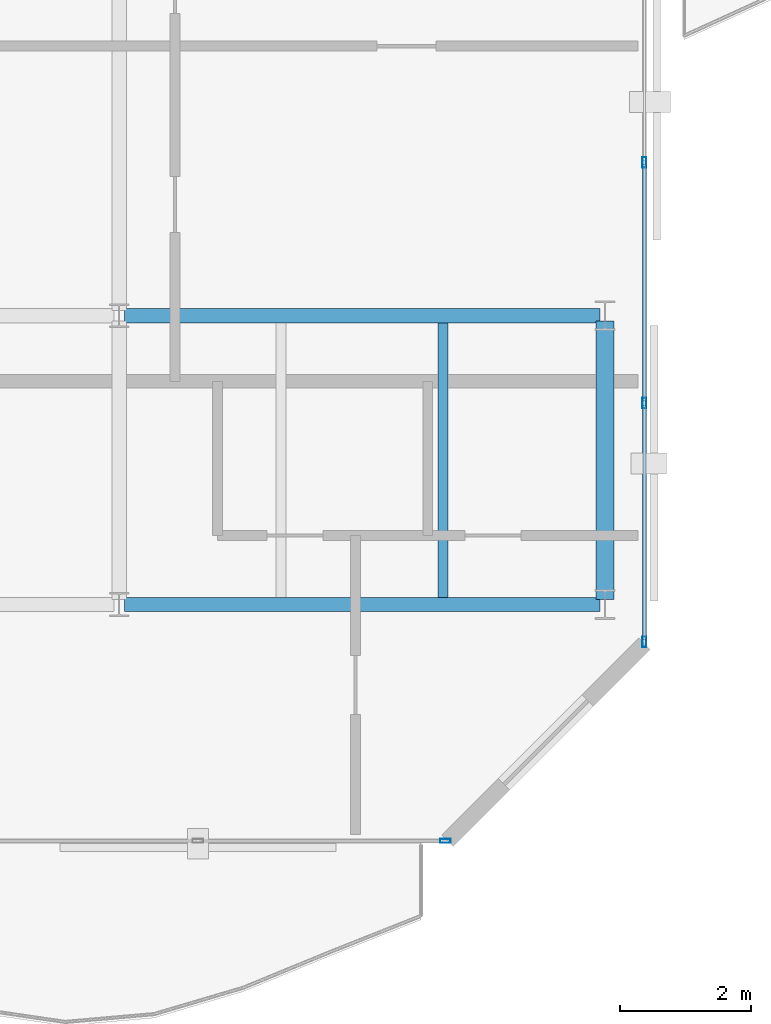
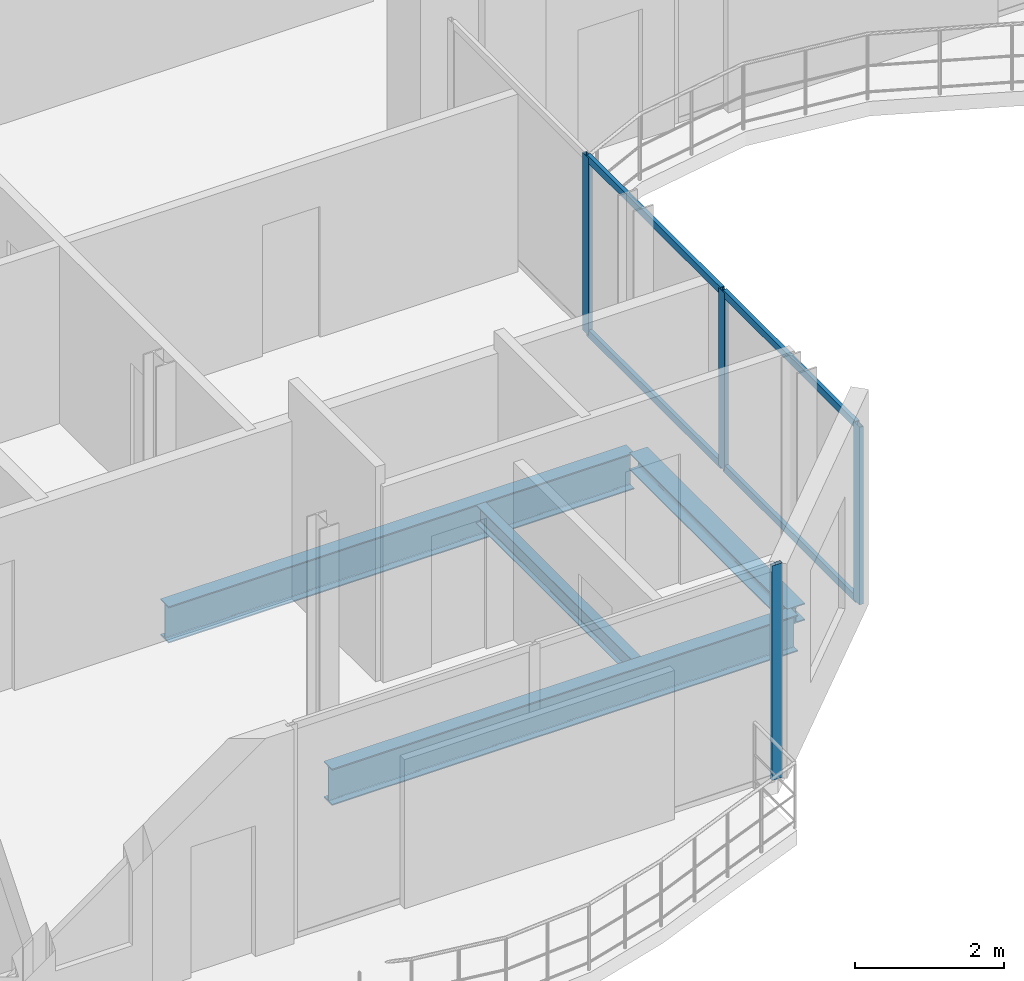
# One storey, part 7 of 22: 8 members, 4 beams, 2 elements without a shape of their own.
"""IFC4 building model written with IfcOpenShell, lengths in metres."""

from ifc_helpers import new_model, si_unit, direction, frame, origin, origin_2d, place, context, subcontext, project, spatial, hollow_rectangle, i_section, extrude, material, layer, layer_set, material_profile, profile_set, type_object, element, aggregate, save


model = new_model("IFC4")

# Units and contexts
model_context = context("Model", 3, precision=1e-05, world=origin(), true_north=direction((0.0, 1.0)))
body_context = subcontext(model_context, "Body", "Model", "MODEL_VIEW")
ifc_project = project(units=[si_unit("LENGTHUNIT", "METRE"), si_unit("AREAUNIT", "SQUARE_METRE"), si_unit("VOLUMEUNIT", "CUBIC_METRE"), si_unit("PLANEANGLEUNIT", "RADIAN"), si_unit("MASSUNIT", "GRAM", prefix="KILO")], contexts=[model_context])

# Site, building, storey
site_placement = place(None, origin())
site = spatial("IfcSite", under=ifc_project, at=site_placement, CompositionType="ELEMENT")
building_placement = place(site_placement, origin())
building = spatial("IfcBuilding", under=site, at=building_placement, Name="Catumbela Crestline Tower", CompositionType="ELEMENT")
storey_placement = place(building_placement, frame((0.0, 0.0, 218.4)))
storey = spatial("IfcBuildingStorey", under=building, at=storey_placement, Name="L56", CompositionType="ELEMENT", Elevation=218.4)

# Beams
ifc_material_1 = material(Name="Structural steel S355J2", Category="steel")
ifc_material_profile_1 = material_profile(ifc_material_1, i_section(OverallWidth=0.22, OverallDepth=0.6, WebThickness=0.012, FlangeThickness=0.019, FilletRadius=0.024, at=origin_2d()), Name="IPE 600")
ifc_profile_set_1 = profile_set([ifc_material_profile_1], Name="Structural steel S355J2")
beam_type_1 = type_object("IfcBeamType", Name="BG-IPE600", PredefinedType="BEAM", material=ifc_profile_set_1)
for number, where, z_axis, x_axis, name in (
    (1, (16.08, 13.6, -0.56), (1.0, 0.0, 0.0), (0.0, 1.0, 0.0), "L56 Beam BM-L56-WEW28"),
    (2, (16.08, 18.0, -0.56), (1.0, 0.0, 0.0), (0.0, 1.0, 0.0), "L56 Beam BM-L56-WEW30"),
):
    element("IfcBeam", number, at=place(storey_placement, frame(where, z_axis=z_axis, x_axis=x_axis)), inside=storey, type_object=beam_type_1, Name=name, PredefinedType="BEAM", context=body_context, shape_type="SweptSolid", body=[
        extrude(i_section(OverallWidth=0.22, OverallDepth=0.6, WebThickness=0.012, FlangeThickness=0.019, FilletRadius=0.024, at=origin_2d()), origin(), (0.0, 0.0, 1.0), 7.24),
    ])
ifc_material_profile_2 = material_profile(ifc_material_1, i_section(OverallWidth=0.15, OverallDepth=0.3, WebThickness=0.0071, FlangeThickness=0.0107, FilletRadius=0.015, at=origin_2d()), Name="IPE 300")
ifc_profile_set_2 = profile_set([ifc_material_profile_2], Name="Structural steel S355J2")
beam_type_2 = type_object("IfcBeamType", Name="BJ-IPE300", PredefinedType="JOIST", material=ifc_profile_set_2)
beam_1_placement = place(storey_placement, frame((20.933, 13.71, -0.41), z_axis=(0.0, 1.0, 0.0), x_axis=(-1.0, 0.0, 0.0)))
element("IfcBeam", 3, at=beam_1_placement, inside=storey, type_object=beam_type_2, Name="L56 Joist JS-L56-WG39", PredefinedType="JOIST", context=body_context, shape_type="SweptSolid", body=[
    extrude(i_section(OverallWidth=0.15, OverallDepth=0.3, WebThickness=0.0071, FlangeThickness=0.0107, FilletRadius=0.015, at=origin_2d()), origin(), (0.0, 0.0, 1.0), 4.18),
])

# Curtain wall, member
ifc_material_2 = material(Name="Aluminium alloy AW-6060-T66", Category="aluminium")
ifc_layer = layer(ifc_material_2, 0.18, Name="Aluminium alloy AW-6060-T66")
ifc_layer_set = layer_set([ifc_layer], Name="Aluminium alloy AW-6060-T66")
curtain_wall_type = type_object("IfcCurtainWallType", Name="CWU-Z4", PredefinedType="USERDEFINED", material=ifc_layer_set)
curtain_wall_1_placement = place(storey_placement, origin())
curtain_wall_1 = element("IfcCurtainWall", 4, at=curtain_wall_1_placement, inside=storey, type_object=curtain_wall_type, Name="L56 Unitised Curtain Wall CW-L56-E0S2", ObjectType="UNITISED", PredefinedType="USERDEFINED")
ifc_material_profile_3 = material_profile(ifc_material_2, hollow_rectangle(XDim=0.06, YDim=0.16, WallThickness=0.004, at=origin_2d()), Name="ALU 160x60x4")
ifc_profile_set_3 = profile_set([ifc_material_profile_3], Name="Aluminium alloy AW-6060-T66")
member_type_1 = type_object("IfcMemberType", Name="MUL-160X60", PredefinedType="MULLION", material=ifc_profile_set_3)
member_1_placement = place(storey_placement, frame((20.9675, 10.0, 0.0), z_axis=(0.0, 0.0, 1.0), x_axis=(0.0, 1.0, 0.0)))
member_1 = element("IfcMember", 5, at=member_1_placement, type_object=member_type_1, Name="CWU-Z4 mullion 3", PredefinedType="MULLION", context=body_context, shape_type="SweptSolid", body=[
    extrude(hollow_rectangle(XDim=0.06, YDim=0.16, WallThickness=0.004, at=origin_2d()), origin(), (0.0, 0.0, 1.0), 3.53),
])
aggregate(curtain_wall_1, [member_1])

# Curtain wall, members
curtain_wall_2_placement = place(storey_placement, origin())
curtain_wall_2 = element("IfcCurtainWall", 6, at=curtain_wall_2_placement, inside=storey, type_object=curtain_wall_type, Name="L56 Unitised Curtain Wall CW-L56-E2S1", ObjectType="UNITISED", PredefinedType="USERDEFINED")
member_2_placement = place(storey_placement, frame((24.0, 13.0325, 0.0), z_axis=(0.0, 0.0, 1.0), x_axis=(-1.0, 0.0, 0.0)))
member_2 = element("IfcMember", 7, at=member_2_placement, type_object=member_type_1, Name="CWU-Z4 mullion 1", PredefinedType="MULLION", context=body_context, shape_type="SweptSolid", body=[
    extrude(hollow_rectangle(XDim=0.06, YDim=0.16, WallThickness=0.004, at=origin_2d()), origin(), (0.0, 0.0, 1.0), 2.92),
])
member_3_placement = place(storey_placement, frame((24.0, 16.6667, 0.0), z_axis=(0.0, 0.0, 1.0), x_axis=(-1.0, 0.0, 0.0)))
member_3 = element("IfcMember", 8, at=member_3_placement, type_object=member_type_1, Name="CWU-Z4 mullion 2", PredefinedType="MULLION", context=body_context, shape_type="SweptSolid", body=[
    extrude(hollow_rectangle(XDim=0.06, YDim=0.16, WallThickness=0.004, at=origin_2d()), origin(), (0.0, 0.0, 1.0), 2.92),
])
member_4_placement = place(storey_placement, frame((24.0, 20.3333, 0.0), z_axis=(0.0, 0.0, 1.0), x_axis=(-1.0, 0.0, 0.0)))
member_4 = element("IfcMember", 9, at=member_4_placement, type_object=member_type_1, Name="CWU-Z4 mullion 3", PredefinedType="MULLION", context=body_context, shape_type="SweptSolid", body=[
    extrude(hollow_rectangle(XDim=0.06, YDim=0.16, WallThickness=0.004, at=origin_2d()), origin(), (0.0, 0.0, 1.0), 2.92),
])

# Beam
ifc_material_profile_4 = material_profile(ifc_material_1, i_section(OverallWidth=0.28, OverallDepth=0.28, WebThickness=0.0105, FlangeThickness=0.018, FilletRadius=0.024, at=origin_2d()), Name="HEB 280")
ifc_profile_set_4 = profile_set([ifc_material_profile_4], Name="Structural steel S355J2")
beam_type_3 = type_object("IfcBeamType", Name="BS-HEB280", PredefinedType="SPANDREL", material=ifc_profile_set_4)
beam_2_placement = place(storey_placement, frame((23.4, 13.68, -0.4), z_axis=(0.0, 1.0, 0.0), x_axis=(-1.0, 0.0, 0.0)))
element("IfcBeam", 10, at=beam_2_placement, inside=storey, type_object=beam_type_3, Name="L56 Spandrel SP-L56-WNS35", PredefinedType="SPANDREL", context=body_context, shape_type="SweptSolid", body=[
    extrude(i_section(OverallWidth=0.28, OverallDepth=0.28, WebThickness=0.0105, FlangeThickness=0.018, FilletRadius=0.024, at=origin_2d()), origin(), (0.0, 0.0, 1.0), 4.24),
])

# Member
ifc_material_profile_5 = material_profile(ifc_material_2, hollow_rectangle(XDim=0.06, YDim=0.12, WallThickness=0.0035, at=origin_2d()), Name="ALU 120x60x3.5")
ifc_profile_set_5 = profile_set([ifc_material_profile_5], Name="Aluminium alloy AW-6060-T66")
member_type_2 = type_object("IfcMemberType", Name="TRN-120X60", PredefinedType="USERDEFINED", material=ifc_profile_set_5)
member_5_placement = place(storey_placement, frame((24.0, 13.065, 0.03), z_axis=(0.0, 1.0, 0.0), x_axis=(-1.0, 0.0, 0.0)))
member_5 = element("IfcMember", 11, at=member_5_placement, type_object=member_type_2, Name="CWU-Z4 transom 1.1", ObjectType="TRANSOM", PredefinedType="USERDEFINED", context=body_context, shape_type="SweptSolid", body=[
    extrude(hollow_rectangle(XDim=0.06, YDim=0.12, WallThickness=0.0035, at=origin_2d()), origin(), (0.0, 0.0, 1.0), 3.5692),
])

member_6_placement = place(storey_placement, frame((24.0, 13.065, 2.89), z_axis=(0.0, 1.0, 0.0), x_axis=(-1.0, 0.0, 0.0)))
member_6 = element("IfcMember", 12, at=member_6_placement, type_object=member_type_2, Name="CWU-Z4 transom 1.2", ObjectType="TRANSOM", PredefinedType="USERDEFINED", context=body_context, shape_type="SweptSolid", body=[
    extrude(hollow_rectangle(XDim=0.06, YDim=0.12, WallThickness=0.0035, at=origin_2d()), origin(), (0.0, 0.0, 1.0), 3.5692),
])

member_7_placement = place(storey_placement, frame((24.0, 16.6992, 0.03), z_axis=(0.0, 1.0, 0.0), x_axis=(-1.0, 0.0, 0.0)))
member_7 = element("IfcMember", 13, at=member_7_placement, type_object=member_type_2, Name="CWU-Z4 transom 2.1", ObjectType="TRANSOM", PredefinedType="USERDEFINED", context=body_context, shape_type="SweptSolid", body=[
    extrude(hollow_rectangle(XDim=0.06, YDim=0.12, WallThickness=0.0035, at=origin_2d()), origin(), (0.0, 0.0, 1.0), 3.6016),
])

member_8_placement = place(storey_placement, frame((24.0, 16.6992, 2.89), z_axis=(0.0, 1.0, 0.0), x_axis=(-1.0, 0.0, 0.0)))
member_8 = element("IfcMember", 14, at=member_8_placement, type_object=member_type_2, Name="CWU-Z4 transom 2.2", ObjectType="TRANSOM", PredefinedType="USERDEFINED", context=body_context, shape_type="SweptSolid", body=[
    extrude(hollow_rectangle(XDim=0.06, YDim=0.12, WallThickness=0.0035, at=origin_2d()), origin(), (0.0, 0.0, 1.0), 3.6016),
])

aggregate(curtain_wall_2, [member_2, member_3, member_4, member_5, member_6, member_7, member_8])

save(model, "model.ifc")
